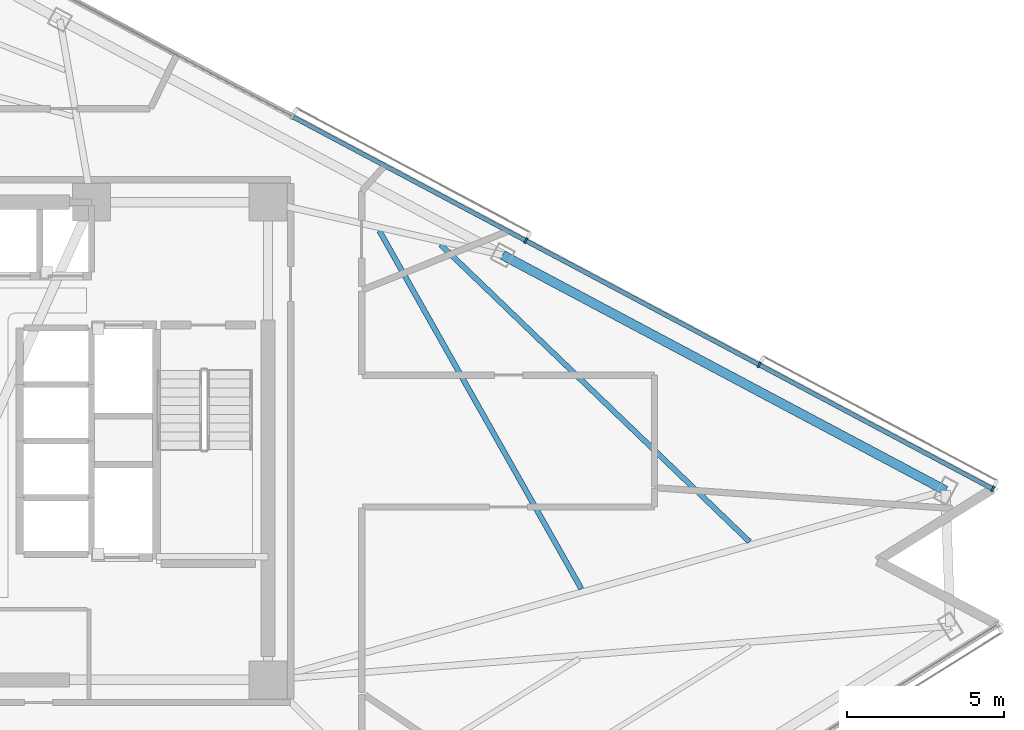
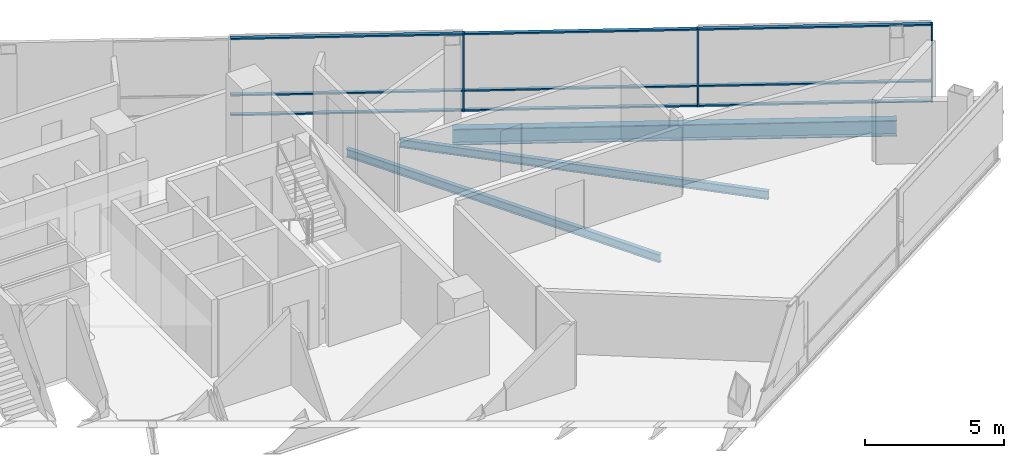
# One storey, part 10 of 20: 12 members, 3 beams, 1 element without a shape of its own.
"""IFC4 building model written with IfcOpenShell, lengths in metres."""

from ifc_helpers import new_model, si_unit, direction, frame, origin, origin_2d, place, context, subcontext, project, spatial, rectangle, i_section, extrude, material, layer, layer_set, material_profile, profile_set, type_object, element, aggregate, save


model = new_model("IFC4")

# Units and contexts
model_context = context("Model", 3, precision=1e-05, world=origin(), true_north=direction((0.0, 1.0)))
body_context = subcontext(model_context, "Body", "Model", "MODEL_VIEW")
ifc_project = project(units=[si_unit("LENGTHUNIT", "METRE"), si_unit("AREAUNIT", "SQUARE_METRE"), si_unit("VOLUMEUNIT", "CUBIC_METRE"), si_unit("PLANEANGLEUNIT", "RADIAN"), si_unit("MASSUNIT", "GRAM", prefix="KILO")], contexts=[model_context])

# Site, building, storey
site_placement = place(None, origin())
site = spatial("IfcSite", under=ifc_project, at=site_placement, CompositionType="ELEMENT")
building_placement = place(site_placement, origin())
building = spatial("IfcBuilding", under=site, at=building_placement, Name="Tharavind Bronze Gate", CompositionType="ELEMENT")
storey_placement = place(building_placement, frame((0.0, 0.0, 149.60009765625)))
storey = spatial("IfcBuildingStorey", under=building, at=storey_placement, Name="L38", CompositionType="ELEMENT", Elevation=149.60009765625)

# Curtain wall, members
ifc_material_1 = material(Name="Anodised Bronze Aluminium", Category="aluminium")
ifc_layer = layer(ifc_material_1, 0.219970703125)
ifc_layer_set = layer_set([ifc_layer], Name="Anodised Bronze Aluminium")
curtain_wall_type = type_object("IfcCurtainWallType", Name="UNITISED CURTAIN WALL MID OFFICE", PredefinedType="USERDEFINED", material=ifc_layer_set)
curtain_wall_placement = place(storey_placement, origin())
curtain_wall = element("IfcCurtainWall", 1, at=curtain_wall_placement, inside=storey, type_object=curtain_wall_type, Name="L38 unitised curtain wall mid office CW-L38-S3", ObjectType="UNITISED CURTAIN WALL", PredefinedType="USERDEFINED")
member_type_1 = type_object("IfcMemberType", Name="CURTAIN WALL BRONZE MULLION 65X180", PredefinedType="MULLION", material=ifc_material_1)
member_1_placement = place(storey_placement, frame((31.9638671875, -1.5224609375, 0.0), z_axis=(0.0, 0.0, 1.0), x_axis=(-0.882947592859, 0.469471562786, 0.0)))
member_1 = element("IfcMember", 2, at=member_1_placement, type_object=member_type_1, Name="CW-L38-S3 mullion 1", PredefinedType="MULLION", context=body_context, shape_type="SweptSolid", body=[
    extrude(rectangle(XDim=0.06494140625, YDim=0.179931640625, at=origin_2d()), origin(), (0.0, 0.0, 1.0), 3.409912109375),
])
member_2_placement = place(storey_placement, frame((24.5341796875, 2.427978515625, 0.0), z_axis=(0.0, 0.0, 1.0), x_axis=(-0.882947592859, 0.469471562786, 0.0)))
member_2 = element("IfcMember", 3, at=member_2_placement, type_object=member_type_1, Name="CW-L38-S3 mullion 2", PredefinedType="MULLION", context=body_context, shape_type="SweptSolid", body=[
    extrude(rectangle(XDim=0.06494140625, YDim=0.179931640625, at=origin_2d()), origin(), (0.0, 0.0, 1.0), 3.409912109375),
])
member_3_placement = place(storey_placement, frame((17.1044921875, 6.37841796875, 0.0), z_axis=(0.0, 0.0, 1.0), x_axis=(-0.882947592859, 0.469471562786, 0.0)))
member_3 = element("IfcMember", 4, at=member_3_placement, type_object=member_type_1, Name="CW-L38-S3 mullion 3", PredefinedType="MULLION", context=body_context, shape_type="SweptSolid", body=[
    extrude(rectangle(XDim=0.06494140625, YDim=0.179931640625, at=origin_2d()), origin(), (0.0, 0.0, 1.0), 3.409912109375),
])
member_type_2 = type_object("IfcMemberType", Name="CURTAIN WALL BRONZE TRANSOM 65X140", PredefinedType="USERDEFINED", material=ifc_material_1)
member_4_placement = place(storey_placement, frame((28.2490234375, 0.45263671875, 0.0), z_axis=(0.0, 0.0, 1.0), x_axis=(-0.882947592859, 0.469471562786, 0.0)))
member_4 = element("IfcMember", 5, at=member_4_placement, type_object=member_type_2, Name="CW-L38-S3 transom TB1", ObjectType="TRANSOM", PredefinedType="USERDEFINED", context=body_context, shape_type="SweptSolid", body=[
    extrude(rectangle(XDim=8.361572265625, YDim=0.139892578125, at=origin_2d()), origin(), (0.0, 0.0, 1.0), 0.06494140625),
])
member_5_placement = place(storey_placement, frame((28.2490234375, 0.45263671875, 0.867431640625), z_axis=(0.0, 0.0, 1.0), x_axis=(-0.882947592859, 0.469471562786, 0.0)))
member_5 = element("IfcMember", 6, at=member_5_placement, type_object=member_type_2, Name="CW-L38-S3 transom TS1", ObjectType="TRANSOM", PredefinedType="USERDEFINED", context=body_context, shape_type="SweptSolid", body=[
    extrude(rectangle(XDim=8.361572265625, YDim=0.139892578125, at=origin_2d()), origin(), (0.0, 0.0, 1.0), 0.06494140625),
])
member_6_placement = place(storey_placement, frame((28.2490234375, 0.45263671875, 3.344970703125), z_axis=(0.0, 0.0, 1.0), x_axis=(-0.882947592859, 0.469471562786, 0.0)))
member_6 = element("IfcMember", 7, at=member_6_placement, type_object=member_type_2, Name="CW-L38-S3 transom TT1", ObjectType="TRANSOM", PredefinedType="USERDEFINED", context=body_context, shape_type="SweptSolid", body=[
    extrude(rectangle(XDim=8.361572265625, YDim=0.139892578125, at=origin_2d()), origin(), (0.0, 0.0, 1.0), 0.06494140625),
])
member_7_placement = place(storey_placement, frame((20.8193359375, 4.403076171875, 0.0), z_axis=(0.0, 0.0, 1.0), x_axis=(-0.882947592859, 0.469471562786, 0.0)))
member_7 = element("IfcMember", 8, at=member_7_placement, type_object=member_type_2, Name="CW-L38-S3 transom TB2", ObjectType="TRANSOM", PredefinedType="USERDEFINED", context=body_context, shape_type="SweptSolid", body=[
    extrude(rectangle(XDim=8.361572265625, YDim=0.139892578125, at=origin_2d()), origin(), (0.0, 0.0, 1.0), 0.06494140625),
])
member_8_placement = place(storey_placement, frame((20.8193359375, 4.403076171875, 0.867431640625), z_axis=(0.0, 0.0, 1.0), x_axis=(-0.882947592859, 0.469471562786, 0.0)))
member_8 = element("IfcMember", 9, at=member_8_placement, type_object=member_type_2, Name="CW-L38-S3 transom TS2", ObjectType="TRANSOM", PredefinedType="USERDEFINED", context=body_context, shape_type="SweptSolid", body=[
    extrude(rectangle(XDim=8.361572265625, YDim=0.139892578125, at=origin_2d()), origin(), (0.0, 0.0, 1.0), 0.06494140625),
])
member_9_placement = place(storey_placement, frame((20.8193359375, 4.403076171875, 3.344970703125), z_axis=(0.0, 0.0, 1.0), x_axis=(-0.882947592859, 0.469471562786, 0.0)))
member_9 = element("IfcMember", 10, at=member_9_placement, type_object=member_type_2, Name="CW-L38-S3 transom TT2", ObjectType="TRANSOM", PredefinedType="USERDEFINED", context=body_context, shape_type="SweptSolid", body=[
    extrude(rectangle(XDim=8.361572265625, YDim=0.139892578125, at=origin_2d()), origin(), (0.0, 0.0, 1.0), 0.06494140625),
])
member_10_placement = place(storey_placement, frame((13.389892578125, 8.353515625, 0.0), z_axis=(0.0, 0.0, 1.0), x_axis=(-0.882947592859, 0.469471562786, 0.0)))
member_10 = element("IfcMember", 11, at=member_10_placement, type_object=member_type_2, Name="CW-L38-S3 transom TB3", ObjectType="TRANSOM", PredefinedType="USERDEFINED", context=body_context, shape_type="SweptSolid", body=[
    extrude(rectangle(XDim=8.361572265625, YDim=0.139892578125, at=origin_2d()), origin(), (0.0, 0.0, 1.0), 0.06494140625),
])
member_11_placement = place(storey_placement, frame((13.389892578125, 8.353515625, 0.867431640625), z_axis=(0.0, 0.0, 1.0), x_axis=(-0.882947592859, 0.469471562786, 0.0)))
member_11 = element("IfcMember", 12, at=member_11_placement, type_object=member_type_2, Name="CW-L38-S3 transom TS3", ObjectType="TRANSOM", PredefinedType="USERDEFINED", context=body_context, shape_type="SweptSolid", body=[
    extrude(rectangle(XDim=8.361572265625, YDim=0.139892578125, at=origin_2d()), origin(), (0.0, 0.0, 1.0), 0.06494140625),
])
member_12_placement = place(storey_placement, frame((13.389892578125, 8.353515625, 3.344970703125), z_axis=(0.0, 0.0, 1.0), x_axis=(-0.882947592859, 0.469471562786, 0.0)))
member_12 = element("IfcMember", 13, at=member_12_placement, type_object=member_type_2, Name="CW-L38-S3 transom TT3", ObjectType="TRANSOM", PredefinedType="USERDEFINED", context=body_context, shape_type="SweptSolid", body=[
    extrude(rectangle(XDim=8.361572265625, YDim=0.139892578125, at=origin_2d()), origin(), (0.0, 0.0, 1.0), 0.06494140625),
])
aggregate(curtain_wall, [member_1, member_2, member_3, member_4, member_5, member_6, member_7, member_8, member_9, member_10, member_11, member_12])

# Beams
ifc_material_2 = material(Name="Steel S355", Category="steel")
ifc_material_profile_1 = material_profile(ifc_material_2, i_section(OverallWidth=0.300048828125, OverallDepth=0.699951171875, WebThickness=0.01708984375, FlangeThickness=0.031982421875, at=origin_2d()), Name="HE700B")
ifc_profile_set_1 = profile_set([ifc_material_profile_1], Name="Steel S355")
beam_type_1 = type_object("IfcBeamType", Name="RING GIRDER HE700B", PredefinedType="USERDEFINED", material=ifc_profile_set_1)
beam_1_placement = place(storey_placement, frame((30.46484375, -1.57470703125, -0.5400390625), z_axis=(-0.882951706672, 0.469463825747, 0.0), x_axis=(-0.469463825747, -0.882951706672, 0.0)))
element("IfcBeam", 14, at=beam_1_placement, inside=storey, type_object=beam_type_1, Name="L38 ring girder he700b BM-L38-PRG09", ObjectType="GIRDER", PredefinedType="USERDEFINED", context=body_context, shape_type="SweptSolid", body=[
    extrude(i_section(OverallWidth=0.300048828125, OverallDepth=0.699951171875, WebThickness=0.01708984375, FlangeThickness=0.031982421875, at=origin_2d()), origin(), (0.0, 0.0, 1.0), 15.963134765625),
])
ifc_material_profile_2 = material_profile(ifc_material_2, i_section(OverallWidth=0.169921875, OverallDepth=0.360107421875, WebThickness=0.008056640625, FlangeThickness=0.0126953125, at=origin_2d()), Name="IPE360")
ifc_profile_set_2 = profile_set([ifc_material_profile_2], Name="Steel S355")
beam_type_2 = type_object("IfcBeamType", Name="SECONDARY FLOOR JOIST IPE360", PredefinedType="JOIST", material=ifc_profile_set_2)
beam_2_placement = place(storey_placement, frame((18.87255859375, -4.70068359375, -0.3701171875), z_axis=(-0.491359669612, 0.870956758444, 0.0), x_axis=(-0.870956758444, -0.491359669612, 0.0)))
element("IfcBeam", 15, at=beam_2_placement, inside=storey, type_object=beam_type_2, Name="L38 secondary floor joist ipe360 BM-L38-JSTA09", PredefinedType="JOIST", context=body_context, shape_type="SweptSolid", body=[
    extrude(i_section(OverallWidth=0.169921875, OverallDepth=0.360107421875, WebThickness=0.008056640625, FlangeThickness=0.0126953125, at=origin_2d()), origin(), (0.0, 0.0, 1.0), 13.08056640625),
])
beam_3_placement = place(storey_placement, frame((24.22802734375, -3.20458984375, -0.3701171875), z_axis=(-0.720825502564, 0.693116580997, 0.0), x_axis=(-0.693116580997, -0.720825502564, 0.0)))
element("IfcBeam", 16, at=beam_3_placement, inside=storey, type_object=beam_type_2, Name="L38 secondary floor joist ipe360 BM-L38-JSTB09", PredefinedType="JOIST", context=body_context, shape_type="SweptSolid", body=[
    extrude(i_section(OverallWidth=0.169921875, OverallDepth=0.360107421875, WebThickness=0.008056640625, FlangeThickness=0.0126953125, at=origin_2d()), origin(), (0.0, 0.0, 1.0), 13.648193359375),
])

save(model, "model.ifc")
